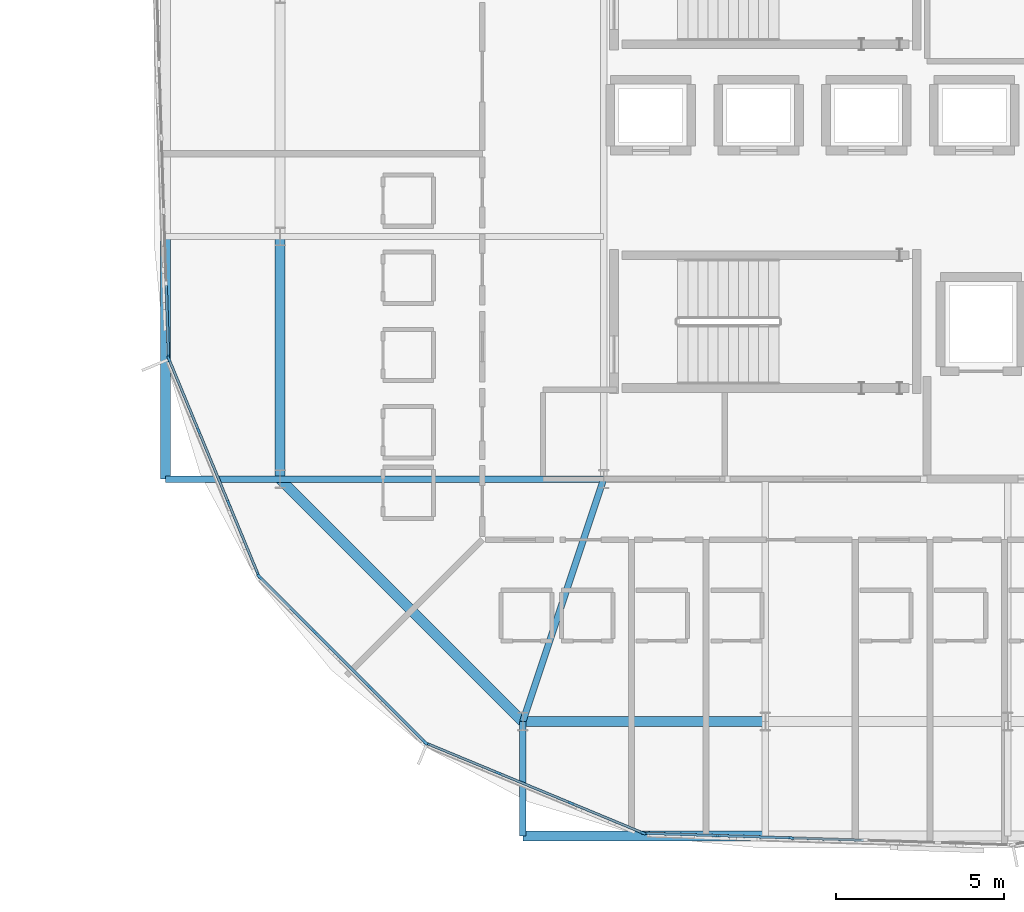
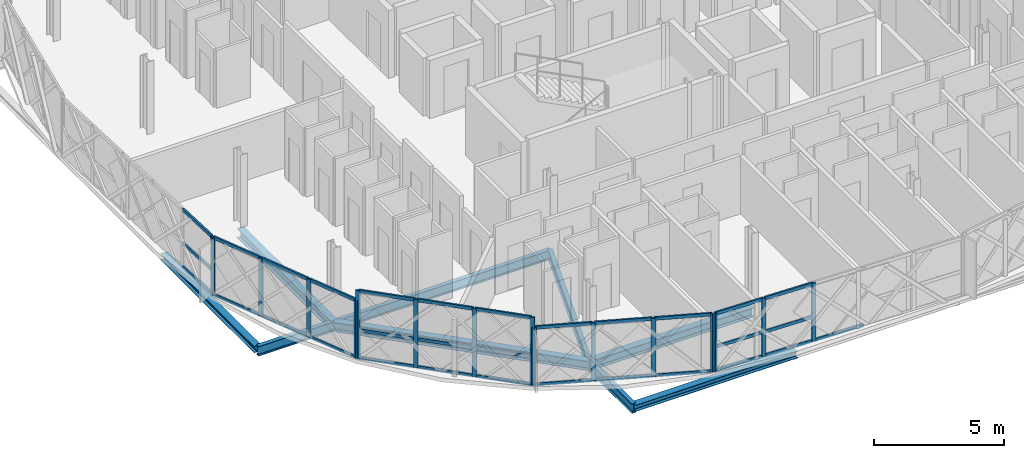
# One storey, part 6 of 50: 47 members, 9 beams, 5 elements without a shape of their own.
"""IFC4 building model written with IfcOpenShell, lengths in metres."""

from ifc_helpers import new_model, si_unit, direction, frame, origin, origin_2d, place, context, subcontext, project, spatial, rectangle, i_section, extrude, material, layer, layer_set, material_profile, profile_set, type_object, element, aggregate, save


model = new_model("IFC4")

# Units and contexts
model_context = context("Model", 3, precision=1e-05, world=origin(), true_north=direction((0.0, 1.0)))
body_context = subcontext(model_context, "Body", "Model", "MODEL_VIEW")
ifc_project = project(units=[si_unit("LENGTHUNIT", "METRE"), si_unit("AREAUNIT", "SQUARE_METRE"), si_unit("VOLUMEUNIT", "CUBIC_METRE"), si_unit("PLANEANGLEUNIT", "RADIAN"), si_unit("MASSUNIT", "GRAM", prefix="KILO")], contexts=[model_context])

# Site, building, storey
site_placement = place(None, origin())
site = spatial("IfcSite", under=ifc_project, at=site_placement, CompositionType="ELEMENT")
building_placement = place(site_placement, origin())
building = spatial("IfcBuilding", under=site, at=building_placement, Name="Zevrakil Square Congress Hotel", CompositionType="ELEMENT")
storey_placement = place(building_placement, frame((0.0, 0.0, 21.5)))
storey = spatial("IfcBuildingStorey", under=building, at=storey_placement, Name="L06", CompositionType="ELEMENT", Elevation=21.5)

# Beams
ifc_material_1 = material(Name="Steel S355", Category="steel")
ifc_material_profile_1 = material_profile(ifc_material_1, i_section(OverallWidth=0.300048828125, OverallDepth=0.43994140625, WebThickness=0.011474609375, FlangeThickness=0.02099609375, FilletRadius=0.027099609375, at=origin_2d()), Name="HEA 450")
ifc_profile_set_1 = profile_set([ifc_material_profile_1], Name="Steel S355")
beam_type_1 = type_object("IfcBeamType", Name="BM-HEA450", PredefinedType="BEAM", material=ifc_profile_set_1)
beam_1_placement = place(storey_placement, frame((134.39990234375, 9.60009765625, -0.409912109375), z_axis=(1.0, 0.0, 0.0), x_axis=(0.0, 1.0, 0.0)))
element("IfcBeam", 1, at=beam_1_placement, inside=storey, type_object=beam_type_1, Name="L06 drum ring girder DRB-01", PredefinedType="BEAM", context=body_context, shape_type="SweptSolid", body=[
    extrude(i_section(OverallWidth=0.300048828125, OverallDepth=0.43994140625, WebThickness=0.011474609375, FlangeThickness=0.02099609375, FilletRadius=0.027099609375, at=origin_2d()), origin(), (0.0, 0.0, 1.0), 7.2001953125),
])
beam_2_placement = place(storey_placement, frame((127.199951171875, 24.0, -0.409912109375), z_axis=(0.0, -1.0, 0.0), x_axis=(1.0, 0.0, 0.0)))
element("IfcBeam", 2, at=beam_2_placement, inside=storey, type_object=beam_type_1, Name="L06 drum ring girder DRB-15", PredefinedType="BEAM", context=body_context, shape_type="SweptSolid", body=[
    extrude(i_section(OverallWidth=0.300048828125, OverallDepth=0.43994140625, WebThickness=0.011474609375, FlangeThickness=0.02099609375, FilletRadius=0.027099609375, at=origin_2d()), origin(), (0.0, 0.0, 1.0), 7.199951171875),
])
beam_3_placement = place(storey_placement, frame((127.199951171875, 16.800048828125, -0.409912109375), z_axis=(0.707106781187, -0.707106781187, 0.0), x_axis=(0.707106781187, 0.707106781187, 0.0)))
element("IfcBeam", 3, at=beam_3_placement, inside=storey, type_object=beam_type_1, Name="L06 drum ring girder DRB-16", PredefinedType="BEAM", context=body_context, shape_type="SweptSolid", body=[
    extrude(i_section(OverallWidth=0.300048828125, OverallDepth=0.43994140625, WebThickness=0.011474609375, FlangeThickness=0.02099609375, FilletRadius=0.027099609375, at=origin_2d()), origin(), (0.0, 0.0, 1.0), 10.182373046875),
])
ifc_material_2 = material(Name="Steel S355", Category="steel")
ifc_material_profile_2 = material_profile(ifc_material_2, i_section(OverallWidth=0.18994140625, OverallDepth=0.449951171875, WebThickness=0.009521484375, FlangeThickness=0.0146484375, FilletRadius=0.02099609375, at=origin_2d()), Name="IPE 450")
ifc_profile_set_2 = profile_set([ifc_material_profile_2], Name="Steel S355")
beam_type_2 = type_object("IfcBeamType", Name="BM-IPE450", PredefinedType="BEAM", material=ifc_profile_set_2)
beam_4_placement = place(storey_placement, frame((136.800048828125, 16.800048828125, -0.4150390625), z_axis=(-0.316247066962, -0.948676864184, 0.0), x_axis=(0.948676864184, -0.316247066962, 0.0)))
element("IfcBeam", 4, at=beam_4_placement, inside=storey, type_object=beam_type_2, Name="L06 drum radial floor beam DRI-01", PredefinedType="BEAM", context=body_context, shape_type="SweptSolid", body=[
    extrude(i_section(OverallWidth=0.18994140625, OverallDepth=0.449951171875, WebThickness=0.009521484375, FlangeThickness=0.0146484375, FilletRadius=0.02099609375, at=origin_2d()), origin(), (0.0, 0.0, 1.0), 7.58935546875),
])
beam_5_placement = place(storey_placement, frame((134.39990234375, 9.60009765625, -0.4150390625), z_axis=(0.0, -1.0, 0.0), x_axis=(1.0, 0.0, 0.0)))
element("IfcBeam", 5, at=beam_5_placement, inside=storey, type_object=beam_type_2, Name="L06 drum radial edge cantilever beam DRO-01", PredefinedType="BEAM", context=body_context, shape_type="SweptSolid", body=[
    extrude(i_section(OverallWidth=0.18994140625, OverallDepth=0.449951171875, WebThickness=0.009521484375, FlangeThickness=0.0146484375, FilletRadius=0.02099609375, at=origin_2d()), origin(), (0.0, 0.0, 1.0), 3.400146484375),
])
beam_6_placement = place(storey_placement, frame((136.800048828125, 16.800048828125, -0.4150390625), z_axis=(-1.0, 0.0, 0.0), x_axis=(0.0, -1.0, 0.0)))
element("IfcBeam", 6, at=beam_6_placement, inside=storey, type_object=beam_type_2, Name="L06 drum radial floor beam DRI-16", PredefinedType="BEAM", context=body_context, shape_type="SweptSolid", body=[
    extrude(i_section(OverallWidth=0.18994140625, OverallDepth=0.449951171875, WebThickness=0.009521484375, FlangeThickness=0.0146484375, FilletRadius=0.02099609375, at=origin_2d()), origin(), (0.0, 0.0, 1.0), 9.60009765625),
])
beam_7_placement = place(storey_placement, frame((127.199951171875, 16.800048828125, -0.4150390625), z_axis=(-1.0, 0.0, 0.0), x_axis=(0.0, -1.0, 0.0)))
element("IfcBeam", 7, at=beam_7_placement, inside=storey, type_object=beam_type_2, Name="L06 drum radial edge cantilever beam DRO-16", PredefinedType="BEAM", context=body_context, shape_type="SweptSolid", body=[
    extrude(i_section(OverallWidth=0.18994140625, OverallDepth=0.449951171875, WebThickness=0.009521484375, FlangeThickness=0.0146484375, FilletRadius=0.02099609375, at=origin_2d()), origin(), (0.0, 0.0, 1.0), 3.39990234375),
])

# Curtain wall, members
ifc_material_3 = material(Name="Aluminium Anodised Bronze", Category="aluminium")
ifc_layer_1 = layer(ifc_material_3, 0.179931640625)
ifc_layer_set_1 = layer_set([ifc_layer_1], Name="Aluminium Anodised Bronze")
curtain_wall_type_1 = type_object("IfcCurtainWallType", Name="CW-L06-900", PredefinedType="USERDEFINED", material=ifc_layer_set_1)
curtain_wall_1_placement = place(storey_placement, origin())
curtain_wall_1 = element("IfcCurtainWall", 8, at=curtain_wall_1_placement, inside=storey, type_object=curtain_wall_type_1, Name="L06 diamond curtain wall CW-L06-0214", ObjectType="GLAZED CURTAIN WALL", PredefinedType="USERDEFINED")
ifc_material_4 = material(Name="Aluminium Anodised Bronze", Category="aluminium")
ifc_material_profile_3 = material_profile(ifc_material_4, rectangle(XDim=0.074951171875, YDim=0.14990234375, at=origin_2d()), Name="ALU 75x150")
ifc_profile_set_3 = profile_set([ifc_material_profile_3], Name="Aluminium Anodised Bronze")
member_type_1 = type_object("IfcMemberType", Name="CWM-ALU75x150", PredefinedType="USERDEFINED", material=ifc_profile_set_3)
member_1_placement = place(storey_placement, frame((123.81689453125, 22.544677734375, 0.030029296875), z_axis=(0.031602454823, -0.999500517683, 0.0), x_axis=(0.999500517683, 0.031602454823, 0.0)))
member_1 = element("IfcMember", 9, at=member_1_placement, type_object=member_type_1, Name="CW-72 transom 5.1", ObjectType="TRANSOM", PredefinedType="USERDEFINED", context=body_context, shape_type="SweptSolid", body=[
    extrude(rectangle(XDim=0.074951171875, YDim=0.14990234375, at=origin_2d()), origin(), (0.0, 0.0, 1.0), 2.093505859375),
])
member_2_placement = place(storey_placement, frame((123.81689453125, 22.544677734375, 1.146484375), z_axis=(0.031602454823, -0.999500517683, 0.0), x_axis=(0.999500517683, 0.031602454823, 0.0)))
member_2 = element("IfcMember", 10, at=member_2_placement, type_object=member_type_1, Name="CW-72 transom 5.2", ObjectType="TRANSOM", PredefinedType="USERDEFINED", context=body_context, shape_type="SweptSolid", body=[
    extrude(rectangle(XDim=0.074951171875, YDim=0.14990234375, at=origin_2d()), origin(), (0.0, 0.0, 1.0), 2.093505859375),
])
member_3_placement = place(storey_placement, frame((123.81689453125, 22.544677734375, 2.699951171875), z_axis=(0.031602454823, -0.999500517683, 0.0), x_axis=(0.999500517683, 0.031602454823, 0.0)))
member_3 = element("IfcMember", 11, at=member_3_placement, type_object=member_type_1, Name="CW-72 transom 5.3", ObjectType="TRANSOM", PredefinedType="USERDEFINED", context=body_context, shape_type="SweptSolid", body=[
    extrude(rectangle(XDim=0.074951171875, YDim=0.14990234375, at=origin_2d()), origin(), (0.0, 0.0, 1.0), 2.093505859375),
])

ifc_material_5 = material(Name="Aluminium Anodised Bronze", Category="aluminium")
ifc_layer_2 = layer(ifc_material_5, 0.179931640625)
ifc_layer_set_2 = layer_set([ifc_layer_2], Name="Aluminium Anodised Bronze")
curtain_wall_type_2 = type_object("IfcCurtainWallType", Name="CW-L06-720", PredefinedType="USERDEFINED", material=ifc_layer_set_2)
curtain_wall_2_placement = place(storey_placement, origin())
curtain_wall_2 = element("IfcCurtainWall", 12, at=curtain_wall_2_placement, inside=storey, type_object=curtain_wall_type_2, Name="L06 diamond curtain wall CW-L06-0215", ObjectType="GLAZED CURTAIN WALL", PredefinedType="USERDEFINED")
member_4_placement = place(storey_placement, frame((123.907958984375, 20.336669921875, 0.030029296875), z_axis=(0.382668727465, -0.923885623343, 0.0), x_axis=(0.923885623343, 0.382668727465, 0.0)))
member_4 = element("IfcMember", 13, at=member_4_placement, type_object=member_type_1, Name="CW-70 transom 1.1", ObjectType="TRANSOM", PredefinedType="USERDEFINED", context=body_context, shape_type="SweptSolid", body=[
    extrude(rectangle(XDim=0.074951171875, YDim=0.14990234375, at=origin_2d()), origin(), (0.0, 0.0, 1.0), 2.2451171875),
])
member_5_placement = place(storey_placement, frame((123.907958984375, 20.336669921875, 2.699951171875), z_axis=(0.382668727465, -0.923885623343, 0.0), x_axis=(0.923885623343, 0.382668727465, 0.0)))
member_5 = element("IfcMember", 14, at=member_5_placement, type_object=member_type_1, Name="CW-70 transom 1.2", ObjectType="TRANSOM", PredefinedType="USERDEFINED", context=body_context, shape_type="SweptSolid", body=[
    extrude(rectangle(XDim=0.074951171875, YDim=0.14990234375, at=origin_2d()), origin(), (0.0, 0.0, 1.0), 2.2451171875),
])
member_6_placement = place(storey_placement, frame((124.7900390625, 18.20703125, 0.030029296875), z_axis=(0.38274032778, -0.923855963606, 0.0), x_axis=(0.923855963606, 0.38274032778, 0.0)))
member_6 = element("IfcMember", 15, at=member_6_placement, type_object=member_type_1, Name="CW-70 transom 2.1", ObjectType="TRANSOM", PredefinedType="USERDEFINED", context=body_context, shape_type="SweptSolid", body=[
    extrude(rectangle(XDim=0.074951171875, YDim=0.14990234375, at=origin_2d()), origin(), (0.0, 0.0, 1.0), 2.275390625),
])
member_7_placement = place(storey_placement, frame((124.7900390625, 18.20703125, 2.699951171875), z_axis=(0.38274032778, -0.923855963606, 0.0), x_axis=(0.923855963606, 0.38274032778, 0.0)))
member_7 = element("IfcMember", 16, at=member_7_placement, type_object=member_type_1, Name="CW-70 transom 2.2", ObjectType="TRANSOM", PredefinedType="USERDEFINED", context=body_context, shape_type="SweptSolid", body=[
    extrude(rectangle(XDim=0.074951171875, YDim=0.14990234375, at=origin_2d()), origin(), (0.0, 0.0, 1.0), 2.275390625),
])
member_8_placement = place(storey_placement, frame((125.683837890625, 16.049560546875, 0.030029296875), z_axis=(0.382630285552, -0.923901544851, 0.0), x_axis=(0.923901544851, 0.382630285552, 0.0)))
member_8 = element("IfcMember", 17, at=member_8_placement, type_object=member_type_1, Name="CW-70 transom 3.1", ObjectType="TRANSOM", PredefinedType="USERDEFINED", context=body_context, shape_type="SweptSolid", body=[
    extrude(rectangle(XDim=0.074951171875, YDim=0.14990234375, at=origin_2d()), origin(), (0.0, 0.0, 1.0), 2.245361328125),
])
member_9_placement = place(storey_placement, frame((125.683837890625, 16.049560546875, 2.699951171875), z_axis=(0.382630285552, -0.923901544851, 0.0), x_axis=(0.923901544851, 0.382630285552, 0.0)))
member_9 = element("IfcMember", 18, at=member_9_placement, type_object=member_type_1, Name="CW-70 transom 3.2", ObjectType="TRANSOM", PredefinedType="USERDEFINED", context=body_context, shape_type="SweptSolid", body=[
    extrude(rectangle(XDim=0.074951171875, YDim=0.14990234375, at=origin_2d()), origin(), (0.0, 0.0, 1.0), 2.245361328125),
])

curtain_wall_3_placement = place(storey_placement, origin())
curtain_wall_3 = element("IfcCurtainWall", 19, at=curtain_wall_3_placement, inside=storey, type_object=curtain_wall_type_2, Name="L06 diamond curtain wall CW-L06-0216", ObjectType="GLAZED CURTAIN WALL", PredefinedType="USERDEFINED")
member_10_placement = place(storey_placement, frame((126.6083984375, 13.877197265625, 0.030029296875), z_axis=(0.707161151013, -0.707052407179, 0.0), x_axis=(0.707052407179, 0.707161151013, 0.0)))
member_10 = element("IfcMember", 20, at=member_10_placement, type_object=member_type_1, Name="CW-70 transom 1.1", ObjectType="TRANSOM", PredefinedType="USERDEFINED", context=body_context, shape_type="SweptSolid", body=[
    extrude(rectangle(XDim=0.074951171875, YDim=0.14990234375, at=origin_2d()), origin(), (0.0, 0.0, 1.0), 2.2451171875),
])
member_11_placement = place(storey_placement, frame((126.6083984375, 13.877197265625, 1.341796875), z_axis=(0.707161151013, -0.707052407179, 0.0), x_axis=(0.707052407179, 0.707161151013, 0.0)))
member_11 = element("IfcMember", 21, at=member_11_placement, type_object=member_type_1, Name="CW-70 transom 1.2", ObjectType="TRANSOM", PredefinedType="USERDEFINED", context=body_context, shape_type="SweptSolid", body=[
    extrude(rectangle(XDim=0.074951171875, YDim=0.14990234375, at=origin_2d()), origin(), (0.0, 0.0, 1.0), 2.2451171875),
])
member_12_placement = place(storey_placement, frame((126.6083984375, 13.877197265625, 3.1650390625), z_axis=(0.707161151013, -0.707052407179, 0.0), x_axis=(0.707052407179, 0.707161151013, 0.0)))
member_12 = element("IfcMember", 22, at=member_12_placement, type_object=member_type_1, Name="CW-70 transom 1.3", ObjectType="TRANSOM", PredefinedType="USERDEFINED", context=body_context, shape_type="SweptSolid", body=[
    extrude(rectangle(XDim=0.074951171875, YDim=0.14990234375, at=origin_2d()), origin(), (0.0, 0.0, 1.0), 2.2451171875),
])
member_13_placement = place(storey_placement, frame((128.238525390625, 12.247314453125, 0.030029296875), z_axis=(0.707053125097, -0.707160433205, 0.0), x_axis=(0.707160433205, 0.707053125097, 0.0)))
member_13 = element("IfcMember", 23, at=member_13_placement, type_object=member_type_1, Name="CW-70 transom 2.1", ObjectType="TRANSOM", PredefinedType="USERDEFINED", context=body_context, shape_type="SweptSolid", body=[
    extrude(rectangle(XDim=0.074951171875, YDim=0.14990234375, at=origin_2d()), origin(), (0.0, 0.0, 1.0), 2.275146484375),
])
member_14_placement = place(storey_placement, frame((128.238525390625, 12.247314453125, 1.341796875), z_axis=(0.707053125097, -0.707160433205, 0.0), x_axis=(0.707160433205, 0.707053125097, 0.0)))
member_14 = element("IfcMember", 24, at=member_14_placement, type_object=member_type_1, Name="CW-70 transom 2.2", ObjectType="TRANSOM", PredefinedType="USERDEFINED", context=body_context, shape_type="SweptSolid", body=[
    extrude(rectangle(XDim=0.074951171875, YDim=0.14990234375, at=origin_2d()), origin(), (0.0, 0.0, 1.0), 2.275146484375),
])
member_15_placement = place(storey_placement, frame((128.238525390625, 12.247314453125, 3.1650390625), z_axis=(0.707053125097, -0.707160433205, 0.0), x_axis=(0.707160433205, 0.707053125097, 0.0)))
member_15 = element("IfcMember", 25, at=member_15_placement, type_object=member_type_1, Name="CW-70 transom 2.3", ObjectType="TRANSOM", PredefinedType="USERDEFINED", context=body_context, shape_type="SweptSolid", body=[
    extrude(rectangle(XDim=0.074951171875, YDim=0.14990234375, at=origin_2d()), origin(), (0.0, 0.0, 1.0), 2.275146484375),
])
member_16_placement = place(storey_placement, frame((129.8896484375, 10.595947265625, 0.030029296875), z_axis=(0.707161151013, -0.707052407179, 0.0), x_axis=(0.707052407179, 0.707161151013, 0.0)))
member_16 = element("IfcMember", 26, at=member_16_placement, type_object=member_type_1, Name="CW-70 transom 3.1", ObjectType="TRANSOM", PredefinedType="USERDEFINED", context=body_context, shape_type="SweptSolid", body=[
    extrude(rectangle(XDim=0.074951171875, YDim=0.14990234375, at=origin_2d()), origin(), (0.0, 0.0, 1.0), 2.2451171875),
])
member_17_placement = place(storey_placement, frame((129.8896484375, 10.595947265625, 1.341796875), z_axis=(0.707161151013, -0.707052407179, 0.0), x_axis=(0.707052407179, 0.707161151013, 0.0)))
member_17 = element("IfcMember", 27, at=member_17_placement, type_object=member_type_1, Name="CW-70 transom 3.2", ObjectType="TRANSOM", PredefinedType="USERDEFINED", context=body_context, shape_type="SweptSolid", body=[
    extrude(rectangle(XDim=0.074951171875, YDim=0.14990234375, at=origin_2d()), origin(), (0.0, 0.0, 1.0), 2.2451171875),
])
member_18_placement = place(storey_placement, frame((129.8896484375, 10.595947265625, 3.1650390625), z_axis=(0.707161151013, -0.707052407179, 0.0), x_axis=(0.707052407179, 0.707161151013, 0.0)))
member_18 = element("IfcMember", 28, at=member_18_placement, type_object=member_type_1, Name="CW-70 transom 3.3", ObjectType="TRANSOM", PredefinedType="USERDEFINED", context=body_context, shape_type="SweptSolid", body=[
    extrude(rectangle(XDim=0.074951171875, YDim=0.14990234375, at=origin_2d()), origin(), (0.0, 0.0, 1.0), 2.2451171875),
])

curtain_wall_4_placement = place(storey_placement, origin())
curtain_wall_4 = element("IfcCurtainWall", 29, at=curtain_wall_4_placement, inside=storey, type_object=curtain_wall_type_2, Name="L06 diamond curtain wall CW-L06-0217", ObjectType="GLAZED CURTAIN WALL", PredefinedType="USERDEFINED")
member_19_placement = place(storey_placement, frame((131.5751953125, 8.943115234375, 0.030029296875), z_axis=(0.923847174836, -0.382761541363, 0.0), x_axis=(0.382761541363, 0.923847174836, 0.0)))
member_19 = element("IfcMember", 30, at=member_19_placement, type_object=member_type_1, Name="CW-70 transom 1.1", ObjectType="TRANSOM", PredefinedType="USERDEFINED", context=body_context, shape_type="SweptSolid", body=[
    extrude(rectangle(XDim=0.074951171875, YDim=0.14990234375, at=origin_2d()), origin(), (0.0, 0.0, 1.0), 2.2451171875),
])
member_20_placement = place(storey_placement, frame((131.5751953125, 8.943115234375, 2.699951171875), z_axis=(0.923847174836, -0.382761541363, 0.0), x_axis=(0.382761541363, 0.923847174836, 0.0)))
member_20 = element("IfcMember", 31, at=member_20_placement, type_object=member_type_1, Name="CW-70 transom 1.2", ObjectType="TRANSOM", PredefinedType="USERDEFINED", context=body_context, shape_type="SweptSolid", body=[
    extrude(rectangle(XDim=0.074951171875, YDim=0.14990234375, at=origin_2d()), origin(), (0.0, 0.0, 1.0), 2.2451171875),
])
member_21_placement = place(storey_placement, frame((133.704833984375, 8.060791015625, 0.030029296875), z_axis=(0.923893901698, -0.382648740238, 0.0), x_axis=(0.382648740238, 0.923893901698, 0.0)))
member_21 = element("IfcMember", 32, at=member_21_placement, type_object=member_type_1, Name="CW-70 transom 2.1", ObjectType="TRANSOM", PredefinedType="USERDEFINED", context=body_context, shape_type="SweptSolid", body=[
    extrude(rectangle(XDim=0.074951171875, YDim=0.14990234375, at=origin_2d()), origin(), (0.0, 0.0, 1.0), 2.275146484375),
])
member_22_placement = place(storey_placement, frame((133.704833984375, 8.060791015625, 2.699951171875), z_axis=(0.923893901698, -0.382648740238, 0.0), x_axis=(0.382648740238, 0.923893901698, 0.0)))
member_22 = element("IfcMember", 33, at=member_22_placement, type_object=member_type_1, Name="CW-70 transom 2.2", ObjectType="TRANSOM", PredefinedType="USERDEFINED", context=body_context, shape_type="SweptSolid", body=[
    extrude(rectangle(XDim=0.074951171875, YDim=0.14990234375, at=origin_2d()), origin(), (0.0, 0.0, 1.0), 2.275146484375),
])
member_23_placement = place(storey_placement, frame((135.8623046875, 7.167236328125, 0.030029296875), z_axis=(0.923863103406, -0.382723093326, 0.0), x_axis=(0.382723093326, 0.923863103406, 0.0)))
member_23 = element("IfcMember", 34, at=member_23_placement, type_object=member_type_1, Name="CW-70 transom 3.1", ObjectType="TRANSOM", PredefinedType="USERDEFINED", context=body_context, shape_type="SweptSolid", body=[
    extrude(rectangle(XDim=0.074951171875, YDim=0.14990234375, at=origin_2d()), origin(), (0.0, 0.0, 1.0), 2.245361328125),
])
member_24_placement = place(storey_placement, frame((135.8623046875, 7.167236328125, 2.699951171875), z_axis=(0.923863103406, -0.382723093326, 0.0), x_axis=(0.382723093326, 0.923863103406, 0.0)))
member_24 = element("IfcMember", 35, at=member_24_placement, type_object=member_type_1, Name="CW-70 transom 3.2", ObjectType="TRANSOM", PredefinedType="USERDEFINED", context=body_context, shape_type="SweptSolid", body=[
    extrude(rectangle(XDim=0.074951171875, YDim=0.14990234375, at=origin_2d()), origin(), (0.0, 0.0, 1.0), 2.245361328125),
])

curtain_wall_5_placement = place(storey_placement, origin())
curtain_wall_5 = element("IfcCurtainWall", 36, at=curtain_wall_5_placement, inside=storey, type_object=curtain_wall_type_1, Name="L06 diamond curtain wall CW-L06-0218", ObjectType="GLAZED CURTAIN WALL", PredefinedType="USERDEFINED")
member_25_placement = place(storey_placement, frame((138.05224609375, 6.283203125, 0.030029296875), z_axis=(0.999500517683, -0.031602454823, 0.0), x_axis=(0.031602454823, 0.999500517683, 0.0)))
member_25 = element("IfcMember", 37, at=member_25_placement, type_object=member_type_1, Name="CW-72 transom 1.1", ObjectType="TRANSOM", PredefinedType="USERDEFINED", context=body_context, shape_type="SweptSolid", body=[
    extrude(rectangle(XDim=0.074951171875, YDim=0.14990234375, at=origin_2d()), origin(), (0.0, 0.0, 1.0), 2.093505859375),
])
member_26_placement = place(storey_placement, frame((138.05224609375, 6.283203125, 1.146484375), z_axis=(0.999500517683, -0.031602454823, 0.0), x_axis=(0.031602454823, 0.999500517683, 0.0)))
member_26 = element("IfcMember", 38, at=member_26_placement, type_object=member_type_1, Name="CW-72 transom 1.2", ObjectType="TRANSOM", PredefinedType="USERDEFINED", context=body_context, shape_type="SweptSolid", body=[
    extrude(rectangle(XDim=0.074951171875, YDim=0.14990234375, at=origin_2d()), origin(), (0.0, 0.0, 1.0), 2.093505859375),
])
member_27_placement = place(storey_placement, frame((138.05224609375, 6.283203125, 2.699951171875), z_axis=(0.999500517683, -0.031602454823, 0.0), x_axis=(0.031602454823, 0.999500517683, 0.0)))
member_27 = element("IfcMember", 39, at=member_27_placement, type_object=member_type_1, Name="CW-72 transom 1.3", ObjectType="TRANSOM", PredefinedType="USERDEFINED", context=body_context, shape_type="SweptSolid", body=[
    extrude(rectangle(XDim=0.074951171875, YDim=0.14990234375, at=origin_2d()), origin(), (0.0, 0.0, 1.0), 2.093505859375),
])
member_28_placement = place(storey_placement, frame((140.204833984375, 6.215087890625, 0.030029296875), z_axis=(0.999500114685, -0.031615198015, 0.0), x_axis=(0.031615198015, 0.999500114685, 0.0)))
member_28 = element("IfcMember", 40, at=member_28_placement, type_object=member_type_1, Name="CW-72 transom 2.1", ObjectType="TRANSOM", PredefinedType="USERDEFINED", context=body_context, shape_type="SweptSolid", body=[
    extrude(rectangle(XDim=0.074951171875, YDim=0.14990234375, at=origin_2d()), origin(), (0.0, 0.0, 1.0), 2.12353515625),
])
member_29_placement = place(storey_placement, frame((140.204833984375, 6.215087890625, 1.146484375), z_axis=(0.999500114685, -0.031615198015, 0.0), x_axis=(0.031615198015, 0.999500114685, 0.0)))
member_29 = element("IfcMember", 41, at=member_29_placement, type_object=member_type_1, Name="CW-72 transom 2.2", ObjectType="TRANSOM", PredefinedType="USERDEFINED", context=body_context, shape_type="SweptSolid", body=[
    extrude(rectangle(XDim=0.074951171875, YDim=0.14990234375, at=origin_2d()), origin(), (0.0, 0.0, 1.0), 2.12353515625),
])
member_30_placement = place(storey_placement, frame((140.204833984375, 6.215087890625, 2.699951171875), z_axis=(0.999500114685, -0.031615198015, 0.0), x_axis=(0.031615198015, 0.999500114685, 0.0)))
member_30 = element("IfcMember", 42, at=member_30_placement, type_object=member_type_1, Name="CW-72 transom 2.3", ObjectType="TRANSOM", PredefinedType="USERDEFINED", context=body_context, shape_type="SweptSolid", body=[
    extrude(rectangle(XDim=0.074951171875, YDim=0.14990234375, at=origin_2d()), origin(), (0.0, 0.0, 1.0), 2.12353515625),
])
member_31_placement = place(storey_placement, frame((142.38720703125, 6.14599609375, 0.030029296875), z_axis=(0.999500229574, -0.031611565628, 0.0), x_axis=(0.031611565628, 0.999500229574, 0.0)))
member_31 = element("IfcMember", 43, at=member_31_placement, type_object=member_type_1, Name="CW-72 transom 3.1", ObjectType="TRANSOM", PredefinedType="USERDEFINED", context=body_context, shape_type="SweptSolid", body=[
    extrude(rectangle(XDim=0.074951171875, YDim=0.14990234375, at=origin_2d()), origin(), (0.0, 0.0, 1.0), 2.123779296875),
])

# Member
ifc_material_6 = material(Name="Aluminium Anodised Bronze", Category="aluminium")
ifc_material_profile_4 = material_profile(ifc_material_6, rectangle(XDim=0.074951171875, YDim=0.179931640625, at=origin_2d()), Name="ALU 75x180")
ifc_profile_set_4 = profile_set([ifc_material_profile_4], Name="Aluminium Anodised Bronze")
member_type_2 = type_object("IfcMemberType", Name="CWM-ALU75x180", PredefinedType="MULLION", material=ifc_profile_set_4)
member_32_placement = place(storey_placement, frame((123.884033203125, 20.422119140625, 0.0), z_axis=(0.0, 0.0, 1.0), x_axis=(0.999500643846, 0.031598464383, 0.0)))
member_32 = element("IfcMember", 44, at=member_32_placement, type_object=member_type_2, Name="CW-72 mullion 6", PredefinedType="MULLION", context=body_context, shape_type="SweptSolid", body=[
    extrude(rectangle(XDim=0.074951171875, YDim=0.179931640625, at=origin_2d()), origin(), (0.0, 0.0, 1.0), 2.72998046875),
])

aggregate(curtain_wall_1, [member_32, member_1, member_2, member_3])

member_33_placement = place(storey_placement, frame((123.896484375, 20.364501953125, 0.0), z_axis=(0.0, 0.0, 1.0), x_axis=(0.92387939537, 0.382683763454, 0.0)))
member_33 = element("IfcMember", 45, at=member_33_placement, type_object=member_type_2, Name="CW-70 mullion 1", PredefinedType="MULLION", context=body_context, shape_type="SweptSolid", body=[
    extrude(rectangle(XDim=0.074951171875, YDim=0.179931640625, at=origin_2d()), origin(), (0.0, 0.0, 1.0), 2.72998046875),
])

member_34_placement = place(storey_placement, frame((124.778564453125, 18.234619140625, 0.0), z_axis=(0.0, 0.0, 1.0), x_axis=(0.92387939537, 0.382683763454, 0.0)))
member_34 = element("IfcMember", 46, at=member_34_placement, type_object=member_type_2, Name="CW-70 mullion 2", PredefinedType="MULLION", context=body_context, shape_type="SweptSolid", body=[
    extrude(rectangle(XDim=0.074951171875, YDim=0.179931640625, at=origin_2d()), origin(), (0.0, 0.0, 1.0), 2.72998046875),
])

member_35_placement = place(storey_placement, frame((125.67236328125, 16.0771484375, 0.0), z_axis=(0.0, 0.0, 1.0), x_axis=(0.92387939537, 0.382683763454, 0.0)))
member_35 = element("IfcMember", 47, at=member_35_placement, type_object=member_type_2, Name="CW-70 mullion 3", PredefinedType="MULLION", context=body_context, shape_type="SweptSolid", body=[
    extrude(rectangle(XDim=0.074951171875, YDim=0.179931640625, at=origin_2d()), origin(), (0.0, 0.0, 1.0), 2.72998046875),
])

member_36_placement = place(storey_placement, frame((126.554443359375, 13.947509765625, 0.0), z_axis=(0.0, 0.0, 1.0), x_axis=(0.92387939537, 0.382683763454, 0.0)))
member_36 = element("IfcMember", 48, at=member_36_placement, type_object=member_type_2, Name="CW-70 mullion 4", PredefinedType="MULLION", context=body_context, shape_type="SweptSolid", body=[
    extrude(rectangle(XDim=0.074951171875, YDim=0.179931640625, at=origin_2d()), origin(), (0.0, 0.0, 1.0), 2.72998046875),
])

aggregate(curtain_wall_2, [member_33, member_34, member_35, member_36, member_4, member_5, member_6, member_7, member_8, member_9])

member_37_placement = place(storey_placement, frame((126.587158203125, 13.8984375, 0.0), z_axis=(0.0, 0.0, 1.0), x_axis=(0.707106781187, 0.707106781187, 0.0)))
member_37 = element("IfcMember", 49, at=member_37_placement, type_object=member_type_2, Name="CW-70 mullion 1", PredefinedType="MULLION", context=body_context, shape_type="SweptSolid", body=[
    extrude(rectangle(XDim=0.074951171875, YDim=0.179931640625, at=origin_2d()), origin(), (0.0, 0.0, 1.0), 3.195068359375),
])

member_38_placement = place(storey_placement, frame((128.21728515625, 12.2685546875, 0.0), z_axis=(0.0, 0.0, 1.0), x_axis=(0.707106781187, 0.707106781187, 0.0)))
member_38 = element("IfcMember", 50, at=member_38_placement, type_object=member_type_2, Name="CW-70 mullion 2", PredefinedType="MULLION", context=body_context, shape_type="SweptSolid", body=[
    extrude(rectangle(XDim=0.074951171875, YDim=0.179931640625, at=origin_2d()), origin(), (0.0, 0.0, 1.0), 3.195068359375),
])

member_39_placement = place(storey_placement, frame((129.868408203125, 10.6171875, 0.0), z_axis=(0.0, 0.0, 1.0), x_axis=(0.707106781187, 0.707106781187, 0.0)))
member_39 = element("IfcMember", 51, at=member_39_placement, type_object=member_type_2, Name="CW-70 mullion 3", PredefinedType="MULLION", context=body_context, shape_type="SweptSolid", body=[
    extrude(rectangle(XDim=0.074951171875, YDim=0.179931640625, at=origin_2d()), origin(), (0.0, 0.0, 1.0), 3.195068359375),
])

member_40_placement = place(storey_placement, frame((131.49853515625, 8.9873046875, 0.0), z_axis=(0.0, 0.0, 1.0), x_axis=(0.707106781187, 0.707106781187, 0.0)))
member_40 = element("IfcMember", 52, at=member_40_placement, type_object=member_type_2, Name="CW-70 mullion 4", PredefinedType="MULLION", context=body_context, shape_type="SweptSolid", body=[
    extrude(rectangle(XDim=0.074951171875, YDim=0.179931640625, at=origin_2d()), origin(), (0.0, 0.0, 1.0), 3.195068359375),
])

aggregate(curtain_wall_3, [member_37, member_38, member_39, member_40, member_10, member_11, member_12, member_13, member_14, member_15, member_16, member_17, member_18])

member_41_placement = place(storey_placement, frame((131.54736328125, 8.95458984375, 0.0), z_axis=(0.0, 0.0, 1.0), x_axis=(0.382683763454, 0.92387939537, 0.0)))
member_41 = element("IfcMember", 53, at=member_41_placement, type_object=member_type_2, Name="CW-70 mullion 1", PredefinedType="MULLION", context=body_context, shape_type="SweptSolid", body=[
    extrude(rectangle(XDim=0.074951171875, YDim=0.179931640625, at=origin_2d()), origin(), (0.0, 0.0, 1.0), 2.72998046875),
])

member_42_placement = place(storey_placement, frame((133.67724609375, 8.072265625, 0.0), z_axis=(0.0, 0.0, 1.0), x_axis=(0.382683763454, 0.92387939537, 0.0)))
member_42 = element("IfcMember", 54, at=member_42_placement, type_object=member_type_2, Name="CW-70 mullion 2", PredefinedType="MULLION", context=body_context, shape_type="SweptSolid", body=[
    extrude(rectangle(XDim=0.074951171875, YDim=0.179931640625, at=origin_2d()), origin(), (0.0, 0.0, 1.0), 2.72998046875),
])

member_43_placement = place(storey_placement, frame((135.834716796875, 7.1787109375, 0.0), z_axis=(0.0, 0.0, 1.0), x_axis=(0.382683763454, 0.92387939537, 0.0)))
member_43 = element("IfcMember", 55, at=member_43_placement, type_object=member_type_2, Name="CW-70 mullion 3", PredefinedType="MULLION", context=body_context, shape_type="SweptSolid", body=[
    extrude(rectangle(XDim=0.074951171875, YDim=0.179931640625, at=origin_2d()), origin(), (0.0, 0.0, 1.0), 2.72998046875),
])

member_44_placement = place(storey_placement, frame((137.964599609375, 6.29638671875, 0.0), z_axis=(0.0, 0.0, 1.0), x_axis=(0.382683763454, 0.92387939537, 0.0)))
member_44 = element("IfcMember", 56, at=member_44_placement, type_object=member_type_2, Name="CW-70 mullion 4", PredefinedType="MULLION", context=body_context, shape_type="SweptSolid", body=[
    extrude(rectangle(XDim=0.074951171875, YDim=0.179931640625, at=origin_2d()), origin(), (0.0, 0.0, 1.0), 2.72998046875),
])

aggregate(curtain_wall_4, [member_41, member_42, member_43, member_44, member_19, member_20, member_21, member_22, member_23, member_24])

member_45_placement = place(storey_placement, frame((138.022216796875, 6.283935546875, 0.0), z_axis=(0.0, 0.0, 1.0), x_axis=(0.031598464383, 0.999500643846, 0.0)))
member_45 = element("IfcMember", 57, at=member_45_placement, type_object=member_type_2, Name="CW-72 mullion 1", PredefinedType="MULLION", context=body_context, shape_type="SweptSolid", body=[
    extrude(rectangle(XDim=0.074951171875, YDim=0.179931640625, at=origin_2d()), origin(), (0.0, 0.0, 1.0), 2.72998046875),
])

member_46_placement = place(storey_placement, frame((140.1748046875, 6.216064453125, 0.0), z_axis=(0.0, 0.0, 1.0), x_axis=(0.031598464383, 0.999500643846, 0.0)))
member_46 = element("IfcMember", 58, at=member_46_placement, type_object=member_type_2, Name="CW-72 mullion 2", PredefinedType="MULLION", context=body_context, shape_type="SweptSolid", body=[
    extrude(rectangle(XDim=0.074951171875, YDim=0.179931640625, at=origin_2d()), origin(), (0.0, 0.0, 1.0), 2.72998046875),
])

member_47_placement = place(storey_placement, frame((142.357421875, 6.14697265625, 0.0), z_axis=(0.0, 0.0, 1.0), x_axis=(0.031598464383, 0.999500643846, 0.0)))
member_47 = element("IfcMember", 59, at=member_47_placement, type_object=member_type_2, Name="CW-72 mullion 3", PredefinedType="MULLION", context=body_context, shape_type="SweptSolid", body=[
    extrude(rectangle(XDim=0.074951171875, YDim=0.179931640625, at=origin_2d()), origin(), (0.0, 0.0, 1.0), 2.72998046875),
])

aggregate(curtain_wall_5, [member_45, member_46, member_47, member_25, member_26, member_27, member_28, member_29, member_30, member_31])

# Beams
ifc_material_7 = material(Name="Steel S355", Category="steel")
ifc_material_profile_5 = material_profile(ifc_material_7, i_section(OverallWidth=0.300048828125, OverallDepth=0.300048828125, WebThickness=0.010986328125, FlangeThickness=0.01904296875, FilletRadius=0.027099609375, at=origin_2d()), Name="HEB 300")
ifc_profile_set_5 = profile_set([ifc_material_profile_5], Name="Steel S355")
beam_type_3 = type_object("IfcBeamType", Name="SPD-RHS250", PredefinedType="SPANDREL", material=ifc_profile_set_5)
beam_8_placement = place(storey_placement, frame((134.39990234375, 6.199951171875, -0.340087890625), z_axis=(1.0, 0.0, 0.0), x_axis=(0.0, 1.0, 0.0)))
element("IfcBeam", 60, at=beam_8_placement, inside=storey, type_object=beam_type_3, Name="L06 drum edge spandrel beam DSP-00", PredefinedType="SPANDREL", context=body_context, shape_type="SweptSolid", body=[
    extrude(i_section(OverallWidth=0.300048828125, OverallDepth=0.300048828125, WebThickness=0.010986328125, FlangeThickness=0.01904296875, FilletRadius=0.027099609375, at=origin_2d()), origin(), (0.0, 0.0, 1.0), 7.2001953125),
])
beam_9_placement = place(storey_placement, frame((123.800048828125, 24.0, -0.340087890625), z_axis=(0.0, -1.0, 0.0), x_axis=(1.0, 0.0, 0.0)))
element("IfcBeam", 61, at=beam_9_placement, inside=storey, type_object=beam_type_3, Name="L06 drum edge spandrel beam DSP-14", PredefinedType="SPANDREL", context=body_context, shape_type="SweptSolid", body=[
    extrude(i_section(OverallWidth=0.300048828125, OverallDepth=0.300048828125, WebThickness=0.010986328125, FlangeThickness=0.01904296875, FilletRadius=0.027099609375, at=origin_2d()), origin(), (0.0, 0.0, 1.0), 7.199951171875),
])

save(model, "model.ifc")
